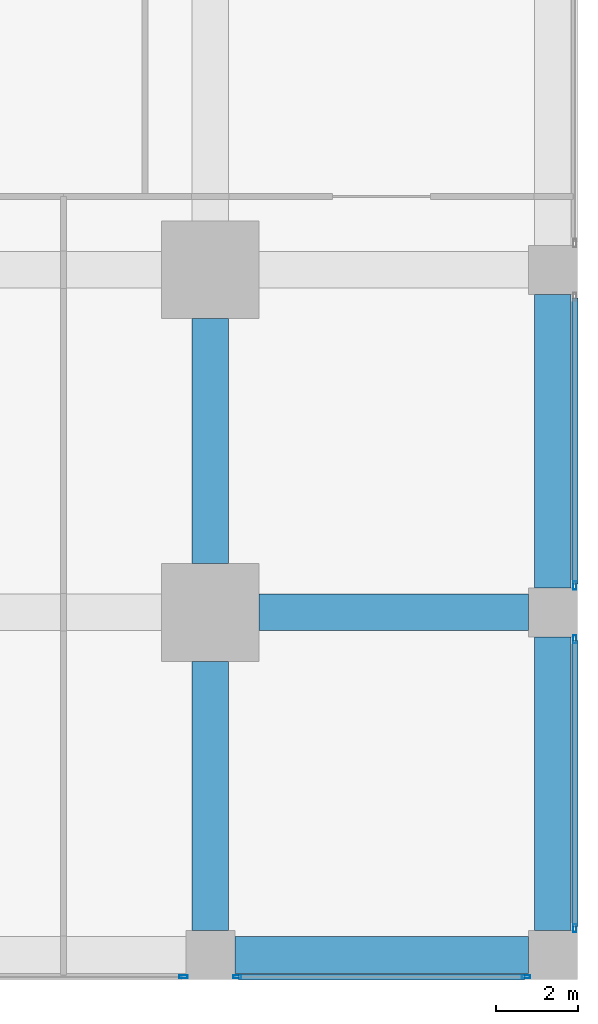
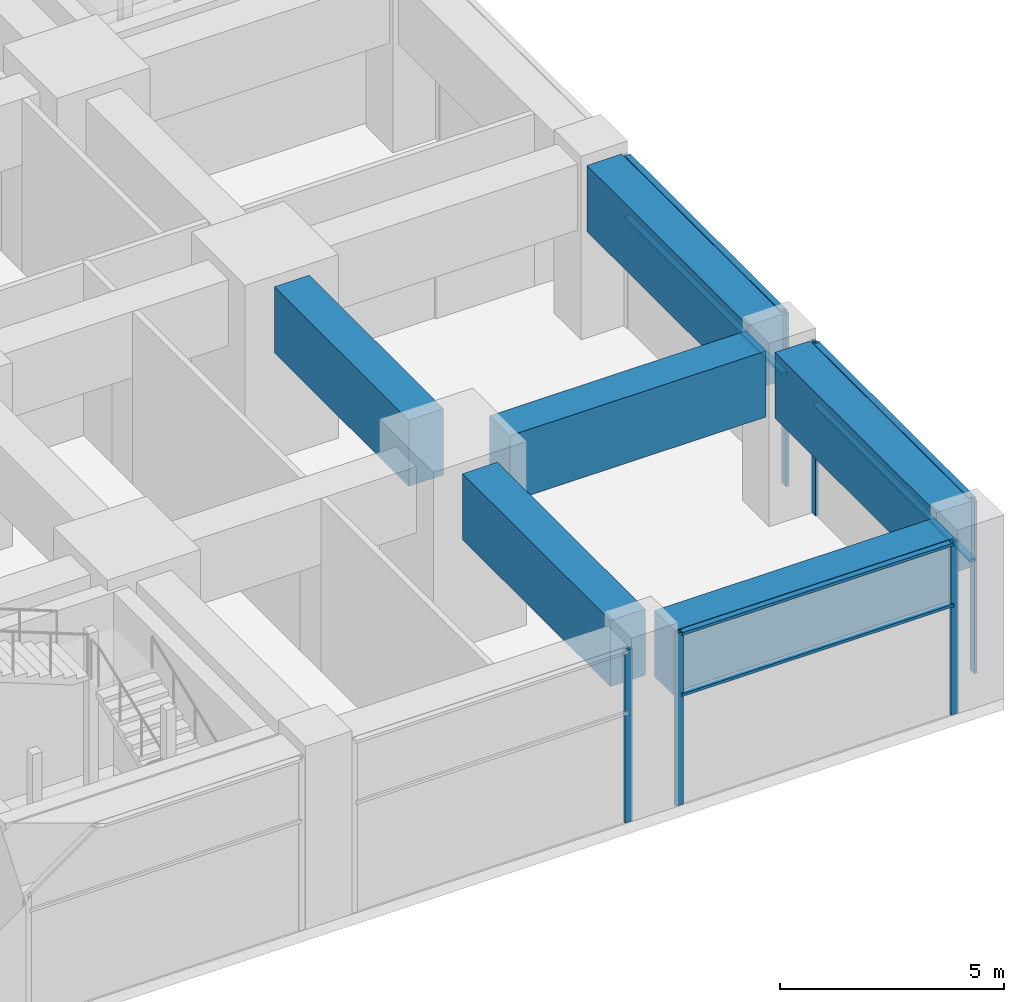
# One storey, part 30 of 49: 12 members, 6 beams, 4 elements without a shape of their own.
"""IFC4 building model written with IfcOpenShell, lengths in metres."""

from ifc_helpers import new_model, si_unit, direction, frame, origin, origin_2d, place, context, subcontext, project, spatial, rectangle, hollow_rectangle, extrude, material, material_profile, profile_set, type_object, element, aggregate, save


model = new_model("IFC4")

# Units and contexts
model_context = context("Model", 3, precision=1e-05, world=origin(), true_north=direction((0.0, 1.0)))
body_context = subcontext(model_context, "Body", "Model", "MODEL_VIEW")
ifc_project = project(units=[si_unit("LENGTHUNIT", "METRE"), si_unit("AREAUNIT", "SQUARE_METRE"), si_unit("VOLUMEUNIT", "CUBIC_METRE"), si_unit("PLANEANGLEUNIT", "RADIAN"), si_unit("MASSUNIT", "GRAM", prefix="KILO")], contexts=[model_context])

# Site, building, storey
site_placement = place(None, origin())
site = spatial("IfcSite", under=ifc_project, at=site_placement, CompositionType="ELEMENT")
building_placement = place(site_placement, origin())
building = spatial("IfcBuilding", under=site, at=building_placement, Name="Rekha Terrace Tower", CompositionType="ELEMENT")
storey_placement = place(building_placement, frame((0.0, 0.0, 5.39990234375)))
storey = spatial("IfcBuildingStorey", under=building, at=storey_placement, Name="L01", CompositionType="ELEMENT", Elevation=5.39990234375)

# Curtain wall, member
ifc_material_1 = material(Name="Aluminium framing", Category="aluminium")
curtain_wall_type = type_object("IfcCurtainWallType", Name="CW4 podium shopfront glazing", PredefinedType="USERDEFINED", material=ifc_material_1)
curtain_wall_1_placement = place(storey_placement, origin())
curtain_wall_1 = element("IfcCurtainWall", 1, at=curtain_wall_1_placement, inside=storey, type_object=curtain_wall_type, Name="CW4 shopfront curtain wall", ObjectType="SHOPFRONT CURTAIN WALL", PredefinedType="USERDEFINED")
ifc_material_2 = material(Name="Aluminium mullion section", Category="aluminium")
ifc_material_profile_1 = material_profile(ifc_material_2, hollow_rectangle(XDim=0.074951171875, YDim=0.199951171875, WallThickness=0.00390625, at=origin_2d()), Name="AL RHS 75x200")
ifc_profile_set_1 = profile_set([ifc_material_profile_1], Name="Aluminium mullion section")
member_type_1 = type_object("IfcMemberType", Name="CW4 mullion RHS 75 x 200", PredefinedType="MULLION", material=ifc_profile_set_1)
member_1_placement = place(storey_placement, frame((66.54248046875, -0.5400390625, 0.0), z_axis=(0.0, 0.0, 1.0), x_axis=(0.0, 1.0, 0.0)))
member_1 = element("IfcMember", 2, at=member_1_placement, type_object=member_type_1, Name="CW4 mullion 2", PredefinedType="MULLION", context=body_context, shape_type="SweptSolid", body=[
    extrude(hollow_rectangle(XDim=0.074951171875, YDim=0.199951171875, WallThickness=0.00390625, at=origin_2d()), origin(), (0.0, 0.0, 1.0), 4.7001953125),
])
aggregate(curtain_wall_1, [member_1])

# Curtain wall, members
curtain_wall_2_placement = place(storey_placement, origin())
curtain_wall_2 = element("IfcCurtainWall", 3, at=curtain_wall_2_placement, inside=storey, type_object=curtain_wall_type, Name="CW4 shopfront curtain wall", ObjectType="SHOPFRONT CURTAIN WALL", PredefinedType="USERDEFINED")
member_2_placement = place(storey_placement, frame((67.857421875, -0.5400390625, 0.0), z_axis=(0.0, 0.0, 1.0), x_axis=(0.0, 1.0, 0.0)))
member_2 = element("IfcMember", 4, at=member_2_placement, type_object=member_type_1, Name="CW4 mullion 1", PredefinedType="MULLION", context=body_context, shape_type="SweptSolid", body=[
    extrude(hollow_rectangle(XDim=0.074951171875, YDim=0.199951171875, WallThickness=0.00390625, at=origin_2d()), origin(), (0.0, 0.0, 1.0), 4.7001953125),
])
member_3_placement = place(storey_placement, frame((74.9423828125, -0.5400390625, 0.0), z_axis=(0.0, 0.0, 1.0), x_axis=(0.0, 1.0, 0.0)))
member_3 = element("IfcMember", 5, at=member_3_placement, type_object=member_type_1, Name="CW4 mullion 2", PredefinedType="MULLION", context=body_context, shape_type="SweptSolid", body=[
    extrude(hollow_rectangle(XDim=0.074951171875, YDim=0.199951171875, WallThickness=0.00390625, at=origin_2d()), origin(), (0.0, 0.0, 1.0), 4.7001953125),
])

curtain_wall_3_placement = place(storey_placement, origin())
curtain_wall_3 = element("IfcCurtainWall", 6, at=curtain_wall_3_placement, inside=storey, type_object=curtain_wall_type, Name="CW4 shopfront curtain wall", ObjectType="SHOPFRONT CURTAIN WALL", PredefinedType="USERDEFINED")
member_4_placement = place(storey_placement, frame((76.139892578125, 0.657470703125, 0.0), z_axis=(0.0, 0.0, 1.0), x_axis=(-1.0, 0.0, 0.0)))
member_4 = element("IfcMember", 7, at=member_4_placement, type_object=member_type_1, Name="CW4 mullion 1", PredefinedType="MULLION", context=body_context, shape_type="SweptSolid", body=[
    extrude(hollow_rectangle(XDim=0.074951171875, YDim=0.199951171875, WallThickness=0.00390625, at=origin_2d()), origin(), (0.0, 0.0, 1.0), 4.7001953125),
])
member_5_placement = place(storey_placement, frame((76.139892578125, 7.742431640625, 0.0), z_axis=(0.0, 0.0, 1.0), x_axis=(-1.0, 0.0, 0.0)))
member_5 = element("IfcMember", 8, at=member_5_placement, type_object=member_type_1, Name="CW4 mullion 2", PredefinedType="MULLION", context=body_context, shape_type="SweptSolid", body=[
    extrude(hollow_rectangle(XDim=0.074951171875, YDim=0.199951171875, WallThickness=0.00390625, at=origin_2d()), origin(), (0.0, 0.0, 1.0), 4.7001953125),
])

# Curtain wall, member
curtain_wall_4_placement = place(storey_placement, origin())
curtain_wall_4 = element("IfcCurtainWall", 9, at=curtain_wall_4_placement, inside=storey, type_object=curtain_wall_type, Name="CW4 shopfront curtain wall", ObjectType="SHOPFRONT CURTAIN WALL", PredefinedType="USERDEFINED")
member_6_placement = place(storey_placement, frame((76.139892578125, 9.0576171875, 0.0), z_axis=(0.0, 0.0, 1.0), x_axis=(-1.0, 0.0, 0.0)))
member_6 = element("IfcMember", 10, at=member_6_placement, type_object=member_type_1, Name="CW4 mullion 1", PredefinedType="MULLION", context=body_context, shape_type="SweptSolid", body=[
    extrude(hollow_rectangle(XDim=0.074951171875, YDim=0.199951171875, WallThickness=0.00390625, at=origin_2d()), origin(), (0.0, 0.0, 1.0), 4.7001953125),
])

# Member
ifc_material_3 = material(Name="Aluminium transom section", Category="aluminium")
ifc_material_profile_2 = material_profile(ifc_material_3, hollow_rectangle(XDim=0.14990234375, YDim=0.074951171875, WallThickness=0.0029296875, at=origin_2d()), Name="AL RHS 150x75")
ifc_profile_set_2 = profile_set([ifc_material_profile_2], Name="Aluminium transom section")
member_type_2 = type_object("IfcMemberType", Name="CW4 transom RHS 75 x 150", PredefinedType="USERDEFINED", material=ifc_profile_set_2)
member_7_placement = place(storey_placement, frame((67.89501953125, -0.5400390625, 3.0), z_axis=(1.0, 0.0, 0.0), x_axis=(0.0, 1.0, 0.0)))
member_7 = element("IfcMember", 11, at=member_7_placement, type_object=member_type_2, Name="CW4 transom 1.2", ObjectType="TRANSOM", PredefinedType="USERDEFINED", context=body_context, shape_type="SweptSolid", body=[
    extrude(hollow_rectangle(XDim=0.14990234375, YDim=0.074951171875, WallThickness=0.0029296875, at=origin_2d()), origin(), (0.0, 0.0, 1.0), 7.010009765625),
])

member_8_placement = place(storey_placement, frame((67.89501953125, -0.5400390625, 4.66259765625), z_axis=(1.0, 0.0, 0.0), x_axis=(0.0, 1.0, 0.0)))
member_8 = element("IfcMember", 12, at=member_8_placement, type_object=member_type_2, Name="CW4 transom 1.3", ObjectType="TRANSOM", PredefinedType="USERDEFINED", context=body_context, shape_type="SweptSolid", body=[
    extrude(hollow_rectangle(XDim=0.14990234375, YDim=0.074951171875, WallThickness=0.0029296875, at=origin_2d()), origin(), (0.0, 0.0, 1.0), 7.010009765625),
])

aggregate(curtain_wall_2, [member_2, member_3, member_7, member_8])

member_9_placement = place(storey_placement, frame((76.139892578125, 0.695068359375, 3.0), z_axis=(0.0, 1.0, 0.0), x_axis=(-1.0, 0.0, 0.0)))
member_9 = element("IfcMember", 13, at=member_9_placement, type_object=member_type_2, Name="CW4 transom 1.2", ObjectType="TRANSOM", PredefinedType="USERDEFINED", context=body_context, shape_type="SweptSolid", body=[
    extrude(hollow_rectangle(XDim=0.14990234375, YDim=0.074951171875, WallThickness=0.0029296875, at=origin_2d()), origin(), (0.0, 0.0, 1.0), 7.010009765625),
])

member_10_placement = place(storey_placement, frame((76.139892578125, 0.695068359375, 4.66259765625), z_axis=(0.0, 1.0, 0.0), x_axis=(-1.0, 0.0, 0.0)))
member_10 = element("IfcMember", 14, at=member_10_placement, type_object=member_type_2, Name="CW4 transom 1.3", ObjectType="TRANSOM", PredefinedType="USERDEFINED", context=body_context, shape_type="SweptSolid", body=[
    extrude(hollow_rectangle(XDim=0.14990234375, YDim=0.074951171875, WallThickness=0.0029296875, at=origin_2d()), origin(), (0.0, 0.0, 1.0), 7.010009765625),
])

aggregate(curtain_wall_3, [member_4, member_5, member_9, member_10])

member_11_placement = place(storey_placement, frame((76.139892578125, 9.094970703125, 3.0), z_axis=(0.0, 1.0, 0.0), x_axis=(-1.0, 0.0, 0.0)))
member_11 = element("IfcMember", 15, at=member_11_placement, type_object=member_type_2, Name="CW4 transom 1.2", ObjectType="TRANSOM", PredefinedType="USERDEFINED", context=body_context, shape_type="SweptSolid", body=[
    extrude(hollow_rectangle(XDim=0.14990234375, YDim=0.074951171875, WallThickness=0.0029296875, at=origin_2d()), origin(), (0.0, 0.0, 1.0), 7.010009765625),
])

member_12_placement = place(storey_placement, frame((76.139892578125, 9.094970703125, 4.66259765625), z_axis=(0.0, 1.0, 0.0), x_axis=(-1.0, 0.0, 0.0)))
member_12 = element("IfcMember", 16, at=member_12_placement, type_object=member_type_2, Name="CW4 transom 1.3", ObjectType="TRANSOM", PredefinedType="USERDEFINED", context=body_context, shape_type="SweptSolid", body=[
    extrude(hollow_rectangle(XDim=0.14990234375, YDim=0.074951171875, WallThickness=0.0029296875, at=origin_2d()), origin(), (0.0, 0.0, 1.0), 7.010009765625),
])

aggregate(curtain_wall_4, [member_6, member_11, member_12])

# Beams
ifc_material_4 = material(Name="Concrete M60", Category="concrete")
ifc_material_profile_3 = material_profile(ifc_material_4, rectangle(XDim=0.89990234375, YDim=1.800048828125, at=origin_2d()), Name="RC 900x1800")
ifc_profile_set_3 = profile_set([ifc_material_profile_3], Name="Concrete M60")
beam_type = type_object("IfcBeamType", Name="G1 900x1800 podium floor beam", PredefinedType="BEAM", material=ifc_profile_set_3)
beam_1_placement = place(storey_placement, frame((67.800048828125, 0.0, 3.800048828125), z_axis=(1.0, 0.0, 0.0), x_axis=(0.0, 1.0, 0.0)))
element("IfcBeam", 17, at=beam_1_placement, inside=storey, type_object=beam_type, Name="Beam G1 9A-10A under L02", PredefinedType="BEAM", context=body_context, shape_type="SweptSolid", body=[
    extrude(rectangle(XDim=0.89990234375, YDim=1.800048828125, at=origin_2d()), origin(), (0.0, 0.0, 1.0), 7.199951171875),
])
beam_2_placement = place(storey_placement, frame((67.199951171875, 0.60009765625, 3.800048828125), z_axis=(0.0, 1.0, 0.0), x_axis=(-1.0, 0.0, 0.0)))
element("IfcBeam", 18, at=beam_2_placement, inside=storey, type_object=beam_type, Name="Beam G1 9A-9B under L02", PredefinedType="BEAM", context=body_context, shape_type="SweptSolid", body=[
    extrude(rectangle(XDim=0.89990234375, YDim=1.800048828125, at=origin_2d()), origin(), (0.0, 0.0, 1.0), 6.599853515625),
])
beam_3_placement = place(storey_placement, frame((68.39990234375, 8.39990234375, 3.800048828125), z_axis=(1.0, 0.0, 0.0), x_axis=(0.0, 1.0, 0.0)))
element("IfcBeam", 19, at=beam_3_placement, inside=storey, type_object=beam_type, Name="Beam G1 9B-10B under L02", PredefinedType="BEAM", context=body_context, shape_type="SweptSolid", body=[
    extrude(rectangle(XDim=0.89990234375, YDim=1.800048828125, at=origin_2d()), origin(), (0.0, 0.0, 1.0), 6.60009765625),
])
beam_4_placement = place(storey_placement, frame((67.199951171875, 9.60009765625, 3.800048828125), z_axis=(0.0, 1.0, 0.0), x_axis=(-1.0, 0.0, 0.0)))
element("IfcBeam", 20, at=beam_4_placement, inside=storey, type_object=beam_type, Name="Beam G1 9B-9C under L02", PredefinedType="BEAM", context=body_context, shape_type="SweptSolid", body=[
    extrude(rectangle(XDim=0.89990234375, YDim=1.800048828125, at=origin_2d()), origin(), (0.0, 0.0, 1.0), 6.0),
])
for number, where, z_axis, x_axis, name in (
    (21, (75.60009765625, 0.60009765625, 3.800048828125), (0.0, 1.0, 0.0), (-1.0, 0.0, 0.0), "Beam G1 10A-10B under L02"),
    (22, (75.60009765625, 9.0, 3.800048828125), (0.0, 1.0, 0.0), (-1.0, 0.0, 0.0), "Beam G1 10B-10C under L02"),
):
    element("IfcBeam", number, at=place(storey_placement, frame(where, z_axis=z_axis, x_axis=x_axis)), inside=storey, type_object=beam_type, Name=name, PredefinedType="BEAM", context=body_context, shape_type="SweptSolid", body=[
        extrude(rectangle(XDim=0.89990234375, YDim=1.800048828125, at=origin_2d()), origin(), (0.0, 0.0, 1.0), 7.199951171875),
    ])

save(model, "model.ifc")
